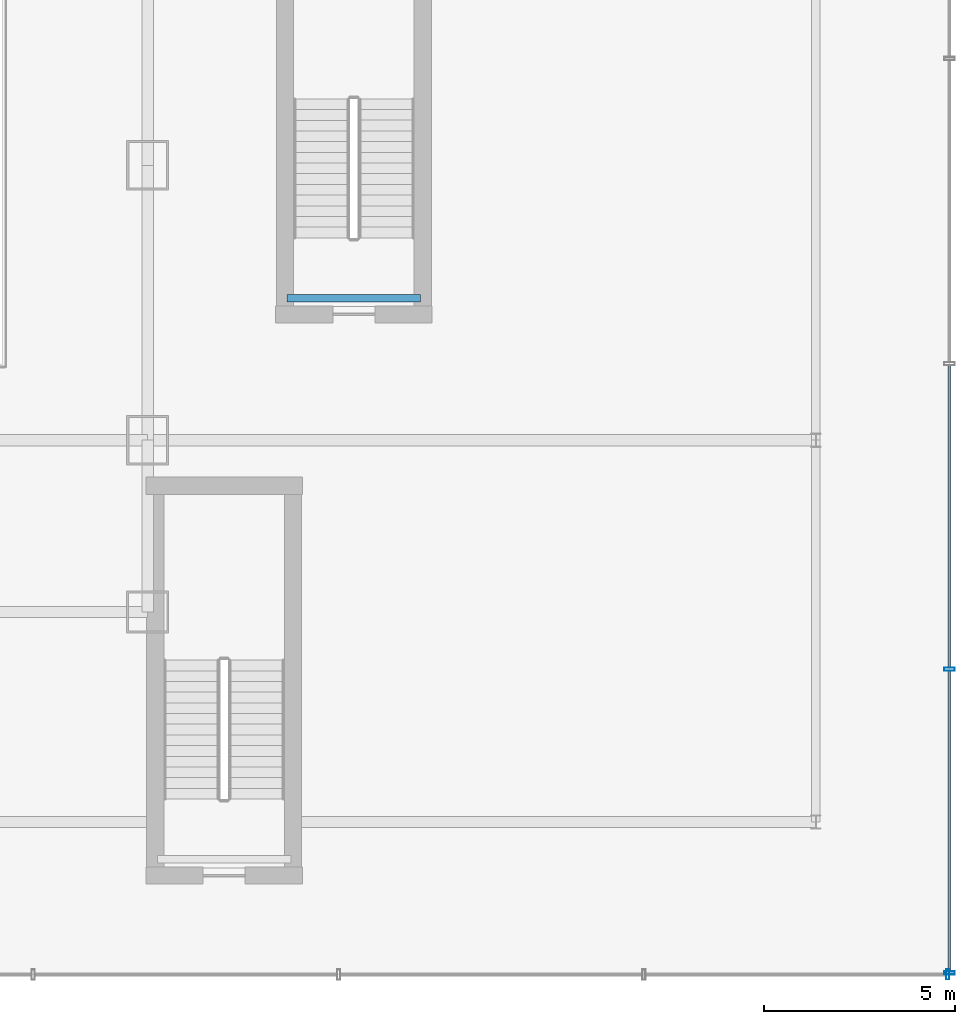
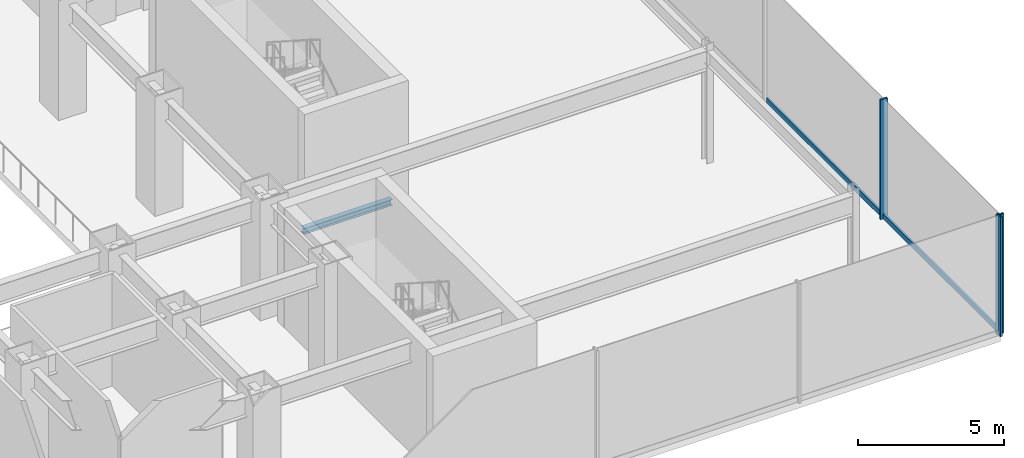
# One storey, part 21 of 39: 5 members, 1 beam, 2 elements without a shape of their own.
"""IFC4 building model written with IfcOpenShell, lengths in metres."""

from ifc_helpers import new_model, si_unit, derived_unit, direction, frame, origin, origin_2d, place, context, subcontext, project, spatial, hollow_rectangle, i_section, extrude, source, transform, mapped, material, material_profile, profile_set, type_object, element, aggregate, save


model = new_model("IFC4")

# Units and contexts
model_context = context("Model", 3, precision=1e-05, world=origin(), true_north=direction((0.0, 1.0)))
body_context = subcontext(model_context, "Body", "Model", "MODEL_VIEW")
ifc_project = project(units=[si_unit("LENGTHUNIT", "METRE"), si_unit("AREAUNIT", "SQUARE_METRE"), si_unit("VOLUMEUNIT", "CUBIC_METRE"), si_unit("PLANEANGLEUNIT", "RADIAN"), si_unit("MASSUNIT", "GRAM", prefix="KILO"), derived_unit("THERMALTRANSMITTANCEUNIT", [(si_unit("POWERUNIT", "WATT"), 1), (si_unit("LENGTHUNIT", "METRE"), -2), (si_unit("THERMODYNAMICTEMPERATUREUNIT", "KELVIN"), -1)])], contexts=[model_context])

# Site, building, storey
site_placement = place(None, origin())
site = spatial("IfcSite", under=ifc_project, at=site_placement, CompositionType="ELEMENT")
building_placement = place(site_placement, origin())
building = spatial("IfcBuilding", under=site, at=building_placement, Name="Skarnbrae Concourse Arena and Tower", CompositionType="ELEMENT")
storey_placement = place(building_placement, frame((0.0, 0.0, 16.0)))
storey = spatial("IfcBuildingStorey", under=building, at=storey_placement, Name="L03", CompositionType="ELEMENT", Elevation=16.0)

# Curtain wall, member
ifc_material_1 = material(Name="Bronze anodised aluminium 6063-T6", Category="aluminium")
curtain_wall_type = type_object("IfcCurtainWallType", Name="CW-SYS-01-PODIUM", PredefinedType="USERDEFINED", material=ifc_material_1)
curtain_wall_1_placement = place(storey_placement, origin())
curtain_wall_1 = element("IfcCurtainWall", 1, at=curtain_wall_1_placement, inside=storey, type_object=curtain_wall_type, Name="L03 Unitised curtain wall CW-L03-SE", ObjectType="UNITISED CURTAIN WALL", PredefinedType="USERDEFINED")
ifc_material_profile_1 = material_profile(ifc_material_1, hollow_rectangle(XDim=0.0849609375, YDim=0.280029296875, WallThickness=0.006103515625, at=origin_2d()), Name="ALU-MULL-85X280")
ifc_profile_set_1 = profile_set([ifc_material_profile_1], Name="Bronze anodised aluminium 6063-T6")
member_type_1 = type_object("IfcMemberType", Name="CWM-CW-01", PredefinedType="MULLION", material=ifc_profile_set_1)
shared_shape_1 = source(origin(), body_context, "Body", "SweptSolid", [
    extrude(hollow_rectangle(XDim=0.0849609375, YDim=0.280029296875, WallThickness=0.006103515625, at=origin_2d()), origin(), (0.0, 0.0, 1.0), 5.0),
])
member_1_placement = place(storey_placement, frame((81.95751953125, 0.0, 0.0), z_axis=(0.0, 0.0, 1.0), x_axis=(1.0, 0.0, 0.0)))
member_1 = element("IfcMember", 2, at=member_1_placement, type_object=member_type_1, Name="CW-L03-SE Mullion 7", PredefinedType="MULLION", context=body_context, shape_type="MappedRepresentation", body=[
    mapped(shared_shape_1, transform((0.0, 0.0, 0.0))),
])
aggregate(curtain_wall_1, [member_1])

# Curtain wall, members
curtain_wall_2_placement = place(storey_placement, origin())
curtain_wall_2 = element("IfcCurtainWall", 3, at=curtain_wall_2_placement, inside=storey, type_object=curtain_wall_type, Name="L03 Unitised curtain wall CW-L03-E", ObjectType="UNITISED CURTAIN WALL", PredefinedType="USERDEFINED")
member_2_placement = place(storey_placement, frame((82.0, 0.04248046875, 0.0), z_axis=(0.0, 0.0, 1.0), x_axis=(0.0, 1.0, 0.0)))
member_2 = element("IfcMember", 4, at=member_2_placement, type_object=member_type_1, Name="CW-L03-E Mullion 1", PredefinedType="MULLION", context=body_context, shape_type="MappedRepresentation", body=[
    mapped(shared_shape_1, transform((0.0, 0.0, 0.0))),
])
member_3_placement = place(storey_placement, frame((82.0, 8.0, 0.0), z_axis=(0.0, 0.0, 1.0), x_axis=(0.0, 1.0, 0.0)))
member_3 = element("IfcMember", 5, at=member_3_placement, type_object=member_type_1, Name="CW-L03-E Mullion 2", PredefinedType="MULLION", context=body_context, shape_type="MappedRepresentation", body=[
    mapped(shared_shape_1, transform((0.0, 0.0, 0.0))),
])
ifc_material_profile_2 = material_profile(ifc_material_1, hollow_rectangle(XDim=0.0849609375, YDim=0.219970703125, WallThickness=0.006103515625, at=origin_2d()), Name="ALU-TRAN-85X220")
ifc_profile_set_2 = profile_set([ifc_material_profile_2], Name="Bronze anodised aluminium 6063-T6")
member_type_2 = type_object("IfcMemberType", Name="CWT-CW-01", PredefinedType="USERDEFINED", material=ifc_profile_set_2)
shared_shape_2 = source(origin(), body_context, "Body", "SweptSolid", [
    extrude(hollow_rectangle(XDim=0.0849609375, YDim=0.219970703125, WallThickness=0.006103515625, at=origin_2d()), origin(), (0.0, 0.0, 1.0), 7.87255859375),
])
member_4_placement = place(storey_placement, frame((82.0, 0.0849609375, 0.110107421875), z_axis=(0.0, 1.0, 0.0), x_axis=(-1.0, 0.0, 0.0)))
member_4 = element("IfcMember", 6, at=member_4_placement, type_object=member_type_2, Name="CW-L03-E Transom 1", ObjectType="TRANSOM", PredefinedType="USERDEFINED", context=body_context, shape_type="MappedRepresentation", body=[
    mapped(shared_shape_2, transform((0.0, 0.0, 0.0))),
])
shared_shape_3 = source(origin(), body_context, "Body", "SweptSolid", [
    extrude(hollow_rectangle(XDim=0.0849609375, YDim=0.219970703125, WallThickness=0.006103515625, at=origin_2d()), origin(), (0.0, 0.0, 1.0), 7.9150390625),
])
member_5_placement = place(storey_placement, frame((82.0, 8.04248046875, 0.110107421875), z_axis=(0.0, 1.0, 0.0), x_axis=(-1.0, 0.0, 0.0)))
member_5 = element("IfcMember", 7, at=member_5_placement, type_object=member_type_2, Name="CW-L03-E Transom 2", ObjectType="TRANSOM", PredefinedType="USERDEFINED", context=body_context, shape_type="MappedRepresentation", body=[
    mapped(shared_shape_3, transform((0.0, 0.0, 0.0))),
])
aggregate(curtain_wall_2, [member_2, member_3, member_4, member_5])

# Beam
ifc_material_2 = material(Name="Steel CSA G40.21 350W", Category="steel")
ifc_material_profile_3 = material_profile(ifc_material_2, i_section(OverallWidth=0.202880859375, OverallDepth=0.251953125, WebThickness=0.008056640625, FlangeThickness=0.013427734375, at=origin_2d()), Name="W250X58")
ifc_profile_set_3 = profile_set([ifc_material_profile_3], Name="Steel CSA G40.21 350W")
beam_type = type_object("IfcBeamType", Name="BM-LINTEL-W250X58", PredefinedType="LINTEL", material=ifc_profile_set_3)
shared_shape_4 = source(origin(), body_context, "Body", "SweptSolid", [
    extrude(i_section(OverallWidth=0.202880859375, OverallDepth=0.251953125, WebThickness=0.008056640625, FlangeThickness=0.013427734375, at=origin_2d()), origin(), (0.0, 0.0, 1.0), 3.5),
])
beam_placement = place(storey_placement, frame((68.14990234375, 17.719970703125, -0.325927734375), z_axis=(-1.0, 0.0, 0.0), x_axis=(0.0, -1.0, 0.0)))
element("IfcBeam", 8, at=beam_placement, inside=storey, type_object=beam_type, Name="L03 Stair ST-A2 near landing soffit beam", PredefinedType="LINTEL", context=body_context, shape_type="MappedRepresentation", body=[
    mapped(shared_shape_4, transform((0.0, 0.0, 0.0))),
])

save(model, "model.ifc")
